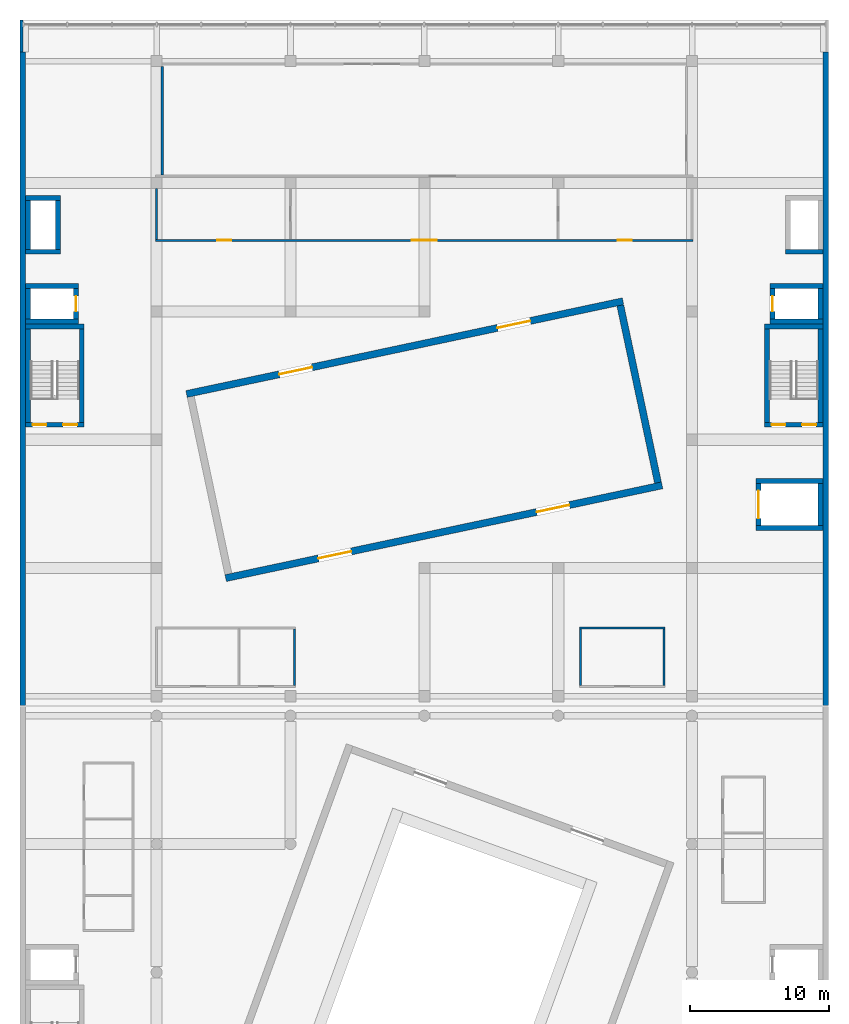
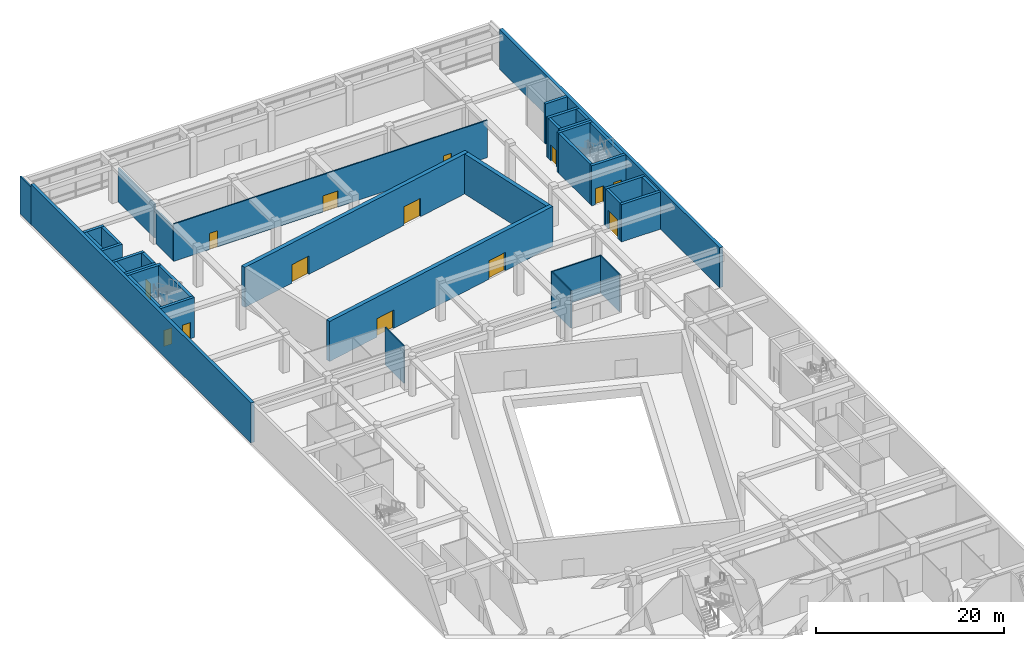
# One storey, part 13 of 31: 38 walls, 14 doors, 14 openings.
"""IFC4 building model written with IfcOpenShell, lengths in metres."""

from ifc_helpers import new_model, si_unit, direction, frame, frame_2d, origin, place, context, subcontext, project, spatial, rectangle, extrude, material, layer, layer_set, layer_usage, type_object, element, fill, save


model = new_model("IFC4")

# Units and contexts
model_context = context("Model", 3, precision=1e-05, world=origin(), true_north=direction((0.0, 1.0)))
body_context = subcontext(model_context, "Body", "Model", "MODEL_VIEW")
ifc_project = project(units=[si_unit("LENGTHUNIT", "METRE"), si_unit("AREAUNIT", "SQUARE_METRE"), si_unit("VOLUMEUNIT", "CUBIC_METRE"), si_unit("PLANEANGLEUNIT", "RADIAN"), si_unit("MASSUNIT", "GRAM", prefix="KILO")], contexts=[model_context])

# Site, building, storey
site_placement = place(None, origin())
site = spatial("IfcSite", under=ifc_project, at=site_placement, CompositionType="ELEMENT")
building_placement = place(site_placement, origin())
building = spatial("IfcBuilding", under=site, at=building_placement, Name="Nzadi Deep Aquarium and Research Tower", CompositionType="ELEMENT")
storey_placement = place(building_placement, frame((0.0, 0.0, 26.699951171875)))
storey = spatial("IfcBuildingStorey", under=building, at=storey_placement, Name="L04", CompositionType="ELEMENT", Elevation=26.699951171875)

# Wall
ifc_material_1 = material(Name="Graphite aluminium shingle", Category="aluminium")
ifc_layer_1 = layer(ifc_material_1, 0.050048828125, Category="cladding")
ifc_material_2 = material(Name="Concrete C35/45", Category="concrete")
ifc_layer_2 = layer(ifc_material_2, 0.10009765625, Category="cladding")
ifc_material_3 = material(Name="Mineral wool insulation")
ifc_layer_3 = layer(ifc_material_3, 0.050048828125, Category="insulation")
ifc_layer_set_1 = layer_set([ifc_layer_1, ifc_layer_2, ifc_layer_3], Name="Graphite aluminium shingle, Concrete C35/45, Mineral wool insulation")
ifc_layer_usage = layer_usage(ifc_layer_set_1, "AXIS2", "POSITIVE", -0.0999755859375)
wall_type_1 = type_object("IfcWallType", Name="End wall shingle over board-formed concrete 200", PredefinedType="ELEMENTEDWALL", material=ifc_layer_set_1)
wall_1_placement = place(storey_placement, frame((-0.099365234375, 143.300048828125, 0.0), z_axis=(0.0, 0.0, 1.0), x_axis=(0.0, -1.0, 0.0)))
element("IfcWall", 1, at=wall_1_placement, inside=storey, type_object=wall_type_1, material=ifc_layer_usage, Name="North cascade cheek wall L04", PredefinedType="ELEMENTEDWALL", context=body_context, shape_type="SweptSolid", body=[
    extrude(rectangle(XDim=2.300048828125, YDim=0.199951171875, at=frame_2d((1.14990234375, 0.0))), origin(), (0.0, 0.0, 1.0), 4.85009765625),
])

# Wall, openings, doors
ifc_material_4 = material(Name="Blockwork masonry", Category="masonry")
ifc_layer_4 = layer(ifc_material_4, 0.14990234375)
ifc_layer_set_2 = layer_set([ifc_layer_4], Name="Blockwork masonry")
wall_type_2 = type_object("IfcWallType", Name="Partition 150 EI 60", PredefinedType="PARTITIONING", material=ifc_layer_set_2)
wall_2_placement = place(storey_placement, frame((9.52490234375, 127.5, 0.0), z_axis=(0.0, 0.0, 1.0), x_axis=(1.0, 0.0, 0.0)))
wall_2 = element("IfcWall", 2, at=wall_2_placement, inside=storey, type_object=wall_type_2, Name="W-Z3-L04-P004", PredefinedType="PARTITIONING", context=body_context, shape_type="SweptSolid", body=[
    extrude(rectangle(XDim=38.550048828125, YDim=0.14990234375, at=frame_2d((19.27490234375, 0.0))), origin(), (0.0, 0.0, 1.0), 4.85009765625),
])
opening_1_placement = place(wall_2_placement, frame((18.375, 0.0, 0.0)))
opening_1 = element("IfcOpeningElement", 3, at=opening_1_placement, cuts=wall_2, Name="Opening D053008", PredefinedType="OPENING", context=body_context, shape_type="SweptSolid", body=[
    extrude(rectangle(XDim=1.800048828125, YDim=2.10009765625, at=frame_2d((0.89990234375, 1.050048828125))), frame((0.0, 0.0849609375, 0.0), z_axis=(0.0, -1.0, 0.0), x_axis=(1.0, 0.0, 0.0)), (0.0, 0.0, 1.0), 0.169921875),
])
opening_2_placement = place(wall_2_placement, frame((4.409912109375, 0.0, 0.0)))
opening_2 = element("IfcOpeningElement", 4, at=opening_2_placement, cuts=wall_2, Name="Opening D053009", PredefinedType="OPENING", context=body_context, shape_type="SweptSolid", body=[
    extrude(rectangle(XDim=1.0, YDim=2.10009765625, at=frame_2d((0.5, 1.050048828125))), frame((0.0, 0.0849609375, 0.0), z_axis=(0.0, -1.0, 0.0), x_axis=(1.0, 0.0, 0.0)), (0.0, 0.0, 1.0), 0.169921875),
])
opening_3_placement = place(wall_2_placement, frame((33.139892578125, 0.0, 0.0)))
opening_3 = element("IfcOpeningElement", 5, at=opening_3_placement, cuts=wall_2, Name="Opening D053010", PredefinedType="OPENING", context=body_context, shape_type="SweptSolid", body=[
    extrude(rectangle(XDim=1.0, YDim=2.10009765625, at=frame_2d((0.5, 1.050048828125))), frame((0.0, 0.0849609375, 0.0), z_axis=(0.0, -1.0, 0.0), x_axis=(1.0, 0.0, 0.0)), (0.0, 0.0, 1.0), 0.169921875),
])
ifc_material_5 = material(Name="Fire-rated steel door", Category="steel")
ifc_layer_5 = layer(ifc_material_5, 0.050048828125)
ifc_layer_set_3 = layer_set([ifc_layer_5], Name="Fire-rated steel door")
door_type_1 = type_object("IfcDoorType", Name="Door 1000x2100 EI 60 single", OperationType="SINGLE_SWING_LEFT", PredefinedType="DOOR", material=ifc_layer_set_3)
door_1_placement = place(opening_2_placement, origin())
door_1 = element("IfcDoor", 6, at=door_1_placement, inside=storey, type_object=door_type_1, Name="D053009", OperationType="SINGLE_SWING_LEFT", OverallHeight=2.10009765625, OverallWidth=1.0, PredefinedType="DOOR", context=body_context, shape_type="SweptSolid", body=[
    extrude(rectangle(XDim=1.0, YDim=2.10009765625, at=frame_2d((0.5, 1.050048828125))), frame((0.0, 0.02490234375, 0.0), z_axis=(0.0, -1.0, 0.0), x_axis=(1.0, 0.0, 0.0)), (0.0, 0.0, 1.0), 0.050048828125),
])
fill(opening_2, door_1)
door_2_placement = place(opening_3_placement, origin())
door_2 = element("IfcDoor", 7, at=door_2_placement, inside=storey, type_object=door_type_1, Name="D053010", OperationType="SINGLE_SWING_RIGHT", OverallHeight=2.10009765625, OverallWidth=1.0, PredefinedType="DOOR", context=body_context, shape_type="SweptSolid", body=[
    extrude(rectangle(XDim=1.0, YDim=2.10009765625, at=frame_2d((0.5, 1.050048828125))), frame((0.0, 0.02490234375, 0.0), z_axis=(0.0, -1.0, 0.0), x_axis=(1.0, 0.0, 0.0)), (0.0, 0.0, 1.0), 0.050048828125),
])
fill(opening_3, door_2)
ifc_material_6 = material(Name="Fire-rated steel door", Category="steel")
ifc_layer_6 = layer(ifc_material_6, 0.050048828125)
ifc_layer_set_4 = layer_set([ifc_layer_6], Name="Fire-rated steel door")
door_type_2 = type_object("IfcDoorType", Name="Door 1800x2100 EI 60 double", OperationType="DOUBLE_DOOR_SINGLE_SWING", PredefinedType="DOOR", material=ifc_layer_set_4)
door_3_placement = place(opening_1_placement, origin())
door_3 = element("IfcDoor", 8, at=door_3_placement, inside=storey, type_object=door_type_2, Name="D053008", OperationType="DOUBLE_DOOR_SINGLE_SWING", OverallHeight=2.10009765625, OverallWidth=1.800048828125, PredefinedType="DOOR", context=body_context, shape_type="SweptSolid", body=[
    extrude(rectangle(XDim=1.800048828125, YDim=2.10009765625, at=frame_2d((0.89990234375, 1.050048828125))), frame((0.0, 0.02490234375, 0.0), z_axis=(0.0, -1.0, 0.0), x_axis=(1.0, 0.0, 0.0)), (0.0, 0.0, 1.0), 0.050048828125),
])
fill(opening_1, door_3)

# Walls
for number, where, z_axis, x_axis, name in (
    (9, (19.5, 95.574951171875, 0.0), (0.0, 0.0, 1.0), (0.0, 1.0, 0.0), "W-Z3-L04-P011"),
    (10, (40.0, 95.574951171875, 0.0), (0.0, 0.0, 1.0), (0.0, 1.0, 0.0), "W-Z3-L04-P017"),
):
    element("IfcWall", number, at=place(storey_placement, frame(where, z_axis=z_axis, x_axis=x_axis)), inside=storey, type_object=wall_type_2, Name=name, PredefinedType="PARTITIONING", context=body_context, shape_type="SweptSolid", body=[
        extrude(rectangle(XDim=4.050048828125, YDim=0.14990234375, at=frame_2d((2.02490234375, 0.0))), origin(), (0.0, 0.0, 1.0), 4.85009765625),
    ])
wall_3_placement = place(storey_placement, frame((39.925048828125, 99.699951171875, 0.0), z_axis=(0.0, 0.0, 1.0), x_axis=(1.0, 0.0, 0.0)))
element("IfcWall", 11, at=wall_3_placement, inside=storey, type_object=wall_type_2, Name="W-Z3-L04-P018", PredefinedType="PARTITIONING", context=body_context, shape_type="SweptSolid", body=[
    extrude(rectangle(XDim=6.14990234375, YDim=0.14990234375, at=frame_2d((3.074951171875, 0.0))), origin(), (0.0, 0.0, 1.0), 4.85009765625),
])
wall_4_placement = place(storey_placement, frame((46.0, 95.574951171875, 0.0), z_axis=(0.0, 0.0, 1.0), x_axis=(0.0, 1.0, 0.0)))
element("IfcWall", 12, at=wall_4_placement, inside=storey, type_object=wall_type_2, Name="W-Z3-L04-P019", PredefinedType="PARTITIONING", context=body_context, shape_type="SweptSolid", body=[
    extrude(rectangle(XDim=4.050048828125, YDim=0.14990234375, at=frame_2d((2.02490234375, 0.0))), origin(), (0.0, 0.0, 1.0), 4.85009765625),
])
ifc_material_7 = material(Name="Blockwork masonry", Category="masonry")
ifc_layer_7 = layer(ifc_material_7, 0.14990234375)
ifc_layer_set_5 = layer_set([ifc_layer_7], Name="Blockwork masonry")
wall_type_3 = type_object("IfcWallType", Name="Partition 150 EI 60, 4.45 m high", PredefinedType="PARTITIONING", material=ifc_layer_set_5)
wall_5_placement = place(storey_placement, frame((9.60009765625, 127.574951171875, 0.0), z_axis=(0.0, 0.0, 1.0), x_axis=(0.0, 1.0, 0.0)))
element("IfcWall", 13, at=wall_5_placement, inside=storey, type_object=wall_type_3, Name="W-Z3-L04-P005", PredefinedType="PARTITIONING", context=body_context, shape_type="SweptSolid", body=[
    extrude(rectangle(XDim=3.625, YDim=0.14990234375, at=frame_2d((1.8125, 0.0))), origin(), (0.0, 0.0, 1.0), 4.449951171875),
])
wall_6_placement = place(storey_placement, frame((10.0, 132.175048828125, 0.0), z_axis=(0.0, 0.0, 1.0), x_axis=(0.0, 1.0, 0.0)))
element("IfcWall", 14, at=wall_6_placement, inside=storey, type_object=wall_type_3, Name="W-Z3-L04-P007", PredefinedType="PARTITIONING", context=body_context, shape_type="SweptSolid", body=[
    extrude(rectangle(XDim=7.77490234375, YDim=0.14990234375, at=frame_2d((3.887451171875, 0.0))), origin(), (0.0, 0.0, 1.0), 4.449951171875),
])

# Wall, openings, doors
ifc_material_8 = material(Name="Concrete C35/45", Category="concrete")
ifc_layer_8 = layer(ifc_material_8, 0.35009765625)
ifc_layer_set_6 = layer_set([ifc_layer_8], Name="Concrete C35/45")
wall_type_4 = type_object("IfcWallType", Name="RC core wall 350", PredefinedType="SHEAR", material=ifc_layer_set_6)
wall_7_placement = place(storey_placement, frame((0.199951171875, 114.27490234375, 0.0), z_axis=(0.0, 0.0, 1.0), x_axis=(1.0, 0.0, 0.0)))
wall_7 = element("IfcWall", 15, at=wall_7_placement, inside=storey, type_object=wall_type_4, Name="W-CORE-ST-Z3-W-L04-S", PredefinedType="SHEAR", context=body_context, shape_type="SweptSolid", body=[
    extrude(rectangle(XDim=4.199951171875, YDim=0.35009765625, at=frame_2d((2.10009765625, 0.0))), origin(), (0.0, 0.0, 1.0), 5.199951171875),
])
opening_4_placement = place(wall_7_placement, frame((0.5, 0.0, 0.0)))
opening_4 = element("IfcOpeningElement", 16, at=opening_4_placement, cuts=wall_7, Name="Opening DS-Z3-W-L04A", PredefinedType="OPENING", context=body_context, shape_type="SweptSolid", body=[
    extrude(rectangle(XDim=1.0, YDim=2.10009765625, at=frame_2d((0.5, 1.050048828125))), frame((0.0, 0.18505859375, 0.0), z_axis=(0.0, -1.0, 0.0), x_axis=(1.0, 0.0, 0.0)), (0.0, 0.0, 1.0), 0.3701171875),
])
opening_5_placement = place(wall_7_placement, frame((2.699951171875, 0.0, 0.0)))
opening_5 = element("IfcOpeningElement", 17, at=opening_5_placement, cuts=wall_7, Name="Opening DS-Z3-W-L04B", PredefinedType="OPENING", context=body_context, shape_type="SweptSolid", body=[
    extrude(rectangle(XDim=1.0, YDim=2.10009765625, at=frame_2d((0.5, 1.050048828125))), frame((0.0, 0.18505859375, 0.0), z_axis=(0.0, -1.0, 0.0), x_axis=(1.0, 0.0, 0.0)), (0.0, 0.0, 1.0), 0.3701171875),
])
ifc_material_9 = material(Name="Steel, powder coated", Category="steel")
door_type_3 = type_object("IfcDoorType", Name="STAIR DOOR 1000x2100 EI 60", OperationType="SINGLE_SWING_LEFT", PredefinedType="DOOR", material=ifc_material_9)
door_4_placement = place(opening_4_placement, origin())
door_4 = element("IfcDoor", 18, at=door_4_placement, inside=storey, type_object=door_type_3, Name="Stair door ST-Z3-W L04 A", OperationType="SINGLE_SWING_RIGHT", OverallHeight=2.10009765625, OverallWidth=1.0, PredefinedType="DOOR", context=body_context, shape_type="SweptSolid", body=[
    extrude(rectangle(XDim=1.0, YDim=2.10009765625, at=frame_2d((0.5, 1.050048828125))), frame((0.0, 0.02490234375, 0.0), z_axis=(0.0, -1.0, 0.0), x_axis=(1.0, 0.0, 0.0)), (0.0, 0.0, 1.0), 0.050048828125),
])
fill(opening_4, door_4)
door_5_placement = place(opening_5_placement, origin())
door_5 = element("IfcDoor", 19, at=door_5_placement, inside=storey, type_object=door_type_3, Name="Stair door ST-Z3-W L04 B", OperationType="SINGLE_SWING_LEFT", OverallHeight=2.10009765625, OverallWidth=1.0, PredefinedType="DOOR", context=body_context, shape_type="SweptSolid", body=[
    extrude(rectangle(XDim=1.0, YDim=2.10009765625, at=frame_2d((0.5, 1.050048828125))), frame((0.0, 0.02490234375, 0.0), z_axis=(0.0, -1.0, 0.0), x_axis=(1.0, 0.0, 0.0)), (0.0, 0.0, 1.0), 0.050048828125),
])
fill(opening_5, door_5)

# Walls
wall_8_placement = place(storey_placement, frame((0.199951171875, 121.324951171875, 0.0), z_axis=(0.0, 0.0, 1.0), x_axis=(1.0, 0.0, 0.0)))
element("IfcWall", 20, at=wall_8_placement, inside=storey, type_object=wall_type_4, Name="W-CORE-ST-Z3-W-L04-N", PredefinedType="SHEAR", context=body_context, shape_type="SweptSolid", body=[
    extrude(rectangle(XDim=4.199951171875, YDim=0.35009765625, at=frame_2d((2.10009765625, 0.0))), origin(), (0.0, 0.0, 1.0), 5.199951171875),
])
for number, where, z_axis, x_axis, name in (
    (21, (0.375, 114.449951171875, 0.0), (0.0, 0.0, 1.0), (0.0, 1.0, 0.0), "W-CORE-ST-Z3-W-L04-W"),
    (22, (4.22509765625, 114.449951171875, 0.0), (0.0, 0.0, 1.0), (0.0, 1.0, 0.0), "W-CORE-ST-Z3-W-L04-E"),
):
    element("IfcWall", number, at=place(storey_placement, frame(where, z_axis=z_axis, x_axis=x_axis)), inside=storey, type_object=wall_type_4, Name=name, PredefinedType="SHEAR", context=body_context, shape_type="SweptSolid", body=[
        extrude(rectangle(XDim=6.699951171875, YDim=0.35009765625, at=frame_2d((3.35009765625, 0.0))), origin(), (0.0, 0.0, 1.0), 5.199951171875),
    ])

# Wall, openings, doors
wall_9_placement = place(storey_placement, frame((53.199951171875, 114.27490234375, 0.0), z_axis=(0.0, 0.0, 1.0), x_axis=(1.0, 0.0, 0.0)))
wall_9 = element("IfcWall", 23, at=wall_9_placement, inside=storey, type_object=wall_type_4, Name="W-CORE-ST-Z3-E-L04-S", PredefinedType="SHEAR", context=body_context, shape_type="SweptSolid", body=[
    extrude(rectangle(XDim=4.199951171875, YDim=0.35009765625, at=frame_2d((2.10009765625, 0.0))), origin(), (0.0, 0.0, 1.0), 5.199951171875),
])
opening_6_placement = place(wall_9_placement, frame((0.5, 0.0, 0.0)))
opening_6 = element("IfcOpeningElement", 24, at=opening_6_placement, cuts=wall_9, Name="Opening DS-Z3-E-L04A", PredefinedType="OPENING", context=body_context, shape_type="SweptSolid", body=[
    extrude(rectangle(XDim=1.0, YDim=2.10009765625, at=frame_2d((0.5, 1.050048828125))), frame((0.0, 0.18505859375, 0.0), z_axis=(0.0, -1.0, 0.0), x_axis=(1.0, 0.0, 0.0)), (0.0, 0.0, 1.0), 0.3701171875),
])
opening_7_placement = place(wall_9_placement, frame((2.699951171875, 0.0, 0.0)))
opening_7 = element("IfcOpeningElement", 25, at=opening_7_placement, cuts=wall_9, Name="Opening DS-Z3-E-L04B", PredefinedType="OPENING", context=body_context, shape_type="SweptSolid", body=[
    extrude(rectangle(XDim=1.0, YDim=2.10009765625, at=frame_2d((0.5, 1.050048828125))), frame((0.0, 0.18505859375, 0.0), z_axis=(0.0, -1.0, 0.0), x_axis=(1.0, 0.0, 0.0)), (0.0, 0.0, 1.0), 0.3701171875),
])
door_6_placement = place(opening_6_placement, origin())
door_6 = element("IfcDoor", 26, at=door_6_placement, inside=storey, type_object=door_type_3, Name="Stair door ST-Z3-E L04 A", OperationType="SINGLE_SWING_RIGHT", OverallHeight=2.10009765625, OverallWidth=1.0, PredefinedType="DOOR", context=body_context, shape_type="SweptSolid", body=[
    extrude(rectangle(XDim=1.0, YDim=2.10009765625, at=frame_2d((0.5, 1.050048828125))), frame((0.0, 0.02490234375, 0.0), z_axis=(0.0, -1.0, 0.0), x_axis=(1.0, 0.0, 0.0)), (0.0, 0.0, 1.0), 0.050048828125),
])
fill(opening_6, door_6)
door_7_placement = place(opening_7_placement, origin())
door_7 = element("IfcDoor", 27, at=door_7_placement, inside=storey, type_object=door_type_3, Name="Stair door ST-Z3-E L04 B", OperationType="SINGLE_SWING_LEFT", OverallHeight=2.10009765625, OverallWidth=1.0, PredefinedType="DOOR", context=body_context, shape_type="SweptSolid", body=[
    extrude(rectangle(XDim=1.0, YDim=2.10009765625, at=frame_2d((0.5, 1.050048828125))), frame((0.0, 0.02490234375, 0.0), z_axis=(0.0, -1.0, 0.0), x_axis=(1.0, 0.0, 0.0)), (0.0, 0.0, 1.0), 0.050048828125),
])
fill(opening_7, door_7)

# Walls
wall_10_placement = place(storey_placement, frame((53.199951171875, 121.324951171875, 0.0), z_axis=(0.0, 0.0, 1.0), x_axis=(1.0, 0.0, 0.0)))
element("IfcWall", 28, at=wall_10_placement, inside=storey, type_object=wall_type_4, Name="W-CORE-ST-Z3-E-L04-N", PredefinedType="SHEAR", context=body_context, shape_type="SweptSolid", body=[
    extrude(rectangle(XDim=4.199951171875, YDim=0.35009765625, at=frame_2d((2.10009765625, 0.0))), origin(), (0.0, 0.0, 1.0), 5.199951171875),
])
for number, where, z_axis, x_axis, name in (
    (29, (53.375, 114.449951171875, 0.0), (0.0, 0.0, 1.0), (0.0, 1.0, 0.0), "W-CORE-ST-Z3-E-L04-W"),
    (30, (57.22509765625, 114.449951171875, 0.0), (0.0, 0.0, 1.0), (0.0, 1.0, 0.0), "W-CORE-ST-Z3-E-L04-E"),
):
    element("IfcWall", number, at=place(storey_placement, frame(where, z_axis=z_axis, x_axis=x_axis)), inside=storey, type_object=wall_type_4, Name=name, PredefinedType="SHEAR", context=body_context, shape_type="SweptSolid", body=[
        extrude(rectangle(XDim=6.699951171875, YDim=0.35009765625, at=frame_2d((3.35009765625, 0.0))), origin(), (0.0, 0.0, 1.0), 5.199951171875),
    ])
for number, where, z_axis, x_axis, name in (
    (31, (0.199951171875, 121.675048828125, 0.0), (0.0, 0.0, 1.0), (1.0, 0.0, 0.0), "W-CORE-PL5-L04-S"),
    (32, (0.199951171875, 124.22509765625, 0.0), (0.0, 0.0, 1.0), (1.0, 0.0, 0.0), "W-CORE-PL5-L04-N"),
):
    element("IfcWall", number, at=place(storey_placement, frame(where, z_axis=z_axis, x_axis=x_axis)), inside=storey, type_object=wall_type_4, Name=name, PredefinedType="SHEAR", context=body_context, shape_type="SweptSolid", body=[
        extrude(rectangle(XDim=3.800048828125, YDim=0.35009765625, at=frame_2d((1.89990234375, 0.0))), origin(), (0.0, 0.0, 1.0), 5.199951171875),
    ])
wall_11_placement = place(storey_placement, frame((0.375, 121.85009765625, 0.0), z_axis=(0.0, 0.0, 1.0), x_axis=(0.0, 1.0, 0.0)))
element("IfcWall", 33, at=wall_11_placement, inside=storey, type_object=wall_type_4, Name="W-CORE-PL5-L04-W", PredefinedType="SHEAR", context=body_context, shape_type="SweptSolid", body=[
    extrude(rectangle(XDim=2.199951171875, YDim=0.35009765625, at=frame_2d((1.10009765625, 0.0))), origin(), (0.0, 0.0, 1.0), 5.199951171875),
])

# Wall, opening, door
wall_12_placement = place(storey_placement, frame((3.824951171875, 121.85009765625, 0.0), z_axis=(0.0, 0.0, 1.0), x_axis=(0.0, 1.0, 0.0)))
wall_12 = element("IfcWall", 34, at=wall_12_placement, inside=storey, type_object=wall_type_4, Name="W-CORE-PL5-L04-E", PredefinedType="SHEAR", context=body_context, shape_type="SweptSolid", body=[
    extrude(rectangle(XDim=2.199951171875, YDim=0.35009765625, at=frame_2d((1.10009765625, 0.0))), origin(), (0.0, 0.0, 1.0), 5.199951171875),
])
opening_8_placement = place(wall_12_placement, frame((0.550048828125, 0.0, 0.0)))
opening_8 = element("IfcOpeningElement", 35, at=opening_8_placement, cuts=wall_12, Name="Opening LD-PL5-L04", PredefinedType="OPENING", context=body_context, shape_type="SweptSolid", body=[
    extrude(rectangle(XDim=1.10009765625, YDim=2.10009765625, at=frame_2d((0.550048828125, 1.050048828125))), frame((0.0, 0.18505859375, 0.0), z_axis=(0.0, -1.0, 0.0), x_axis=(1.0, 0.0, 0.0)), (0.0, 0.0, 1.0), 0.3701171875),
])
ifc_material_10 = material(Name="Stainless steel 1.4301", Category="steel")
door_type_4 = type_object("IfcDoorType", Name="LANDING DOOR 1100x2100", OperationType="DOUBLE_DOOR_SLIDING", PredefinedType="DOOR", material=ifc_material_10)
door_8_placement = place(opening_8_placement, origin())
door_8 = element("IfcDoor", 36, at=door_8_placement, inside=storey, type_object=door_type_4, Name="Landing door PL5 L04", OperationType="DOUBLE_DOOR_SLIDING", OverallHeight=2.10009765625, OverallWidth=1.10009765625, PredefinedType="DOOR", context=body_context, shape_type="SweptSolid", body=[
    extrude(rectangle(XDim=1.10009765625, YDim=2.10009765625, at=frame_2d((0.550048828125, 1.050048828125))), frame((0.0, 0.02490234375, 0.0), z_axis=(0.0, -1.0, 0.0), x_axis=(1.0, 0.0, 0.0)), (0.0, 0.0, 1.0), 0.050048828125),
])
fill(opening_8, door_8)

# Walls
for number, where, z_axis, x_axis, name in (
    (37, (53.60009765625, 121.675048828125, 0.0), (0.0, 0.0, 1.0), (1.0, 0.0, 0.0), "W-CORE-PL6-L04-S"),
    (38, (53.60009765625, 124.22509765625, 0.0), (0.0, 0.0, 1.0), (1.0, 0.0, 0.0), "W-CORE-PL6-L04-N"),
):
    element("IfcWall", number, at=place(storey_placement, frame(where, z_axis=z_axis, x_axis=x_axis)), inside=storey, type_object=wall_type_4, Name=name, PredefinedType="SHEAR", context=body_context, shape_type="SweptSolid", body=[
        extrude(rectangle(XDim=3.7998046875, YDim=0.35009765625, at=frame_2d((1.89990234375, 0.0))), origin(), (0.0, 0.0, 1.0), 5.199951171875),
    ])

# Wall, opening, door
wall_13_placement = place(storey_placement, frame((53.77490234375, 121.85009765625, 0.0), z_axis=(0.0, 0.0, 1.0), x_axis=(0.0, 1.0, 0.0)))
wall_13 = element("IfcWall", 39, at=wall_13_placement, inside=storey, type_object=wall_type_4, Name="W-CORE-PL6-L04-W", PredefinedType="SHEAR", context=body_context, shape_type="SweptSolid", body=[
    extrude(rectangle(XDim=2.199951171875, YDim=0.35009765625, at=frame_2d((1.10009765625, 0.0))), origin(), (0.0, 0.0, 1.0), 5.199951171875),
])
opening_9_placement = place(wall_13_placement, frame((0.550048828125, 0.0, 0.0)))
opening_9 = element("IfcOpeningElement", 40, at=opening_9_placement, cuts=wall_13, Name="Opening LD-PL6-L04", PredefinedType="OPENING", context=body_context, shape_type="SweptSolid", body=[
    extrude(rectangle(XDim=1.10009765625, YDim=2.10009765625, at=frame_2d((0.550048828125, 1.050048828125))), frame((0.0, 0.18505859375, 0.0), z_axis=(0.0, -1.0, 0.0), x_axis=(1.0, 0.0, 0.0)), (0.0, 0.0, 1.0), 0.3701171875),
])
door_9_placement = place(opening_9_placement, origin())
door_9 = element("IfcDoor", 41, at=door_9_placement, inside=storey, type_object=door_type_4, Name="Landing door PL6 L04", OperationType="DOUBLE_DOOR_SLIDING", OverallHeight=2.10009765625, OverallWidth=1.10009765625, PredefinedType="DOOR", context=body_context, shape_type="SweptSolid", body=[
    extrude(rectangle(XDim=1.10009765625, YDim=2.10009765625, at=frame_2d((0.550048828125, 1.050048828125))), frame((0.0, 0.02490234375, 0.0), z_axis=(0.0, -1.0, 0.0), x_axis=(1.0, 0.0, 0.0)), (0.0, 0.0, 1.0), 0.050048828125),
])
fill(opening_9, door_9)

# Walls
wall_14_placement = place(storey_placement, frame((57.22509765625, 121.85009765625, 0.0), z_axis=(0.0, 0.0, 1.0), x_axis=(0.0, 1.0, 0.0)))
element("IfcWall", 42, at=wall_14_placement, inside=storey, type_object=wall_type_4, Name="W-CORE-PL6-L04-E", PredefinedType="SHEAR", context=body_context, shape_type="SweptSolid", body=[
    extrude(rectangle(XDim=2.199951171875, YDim=0.35009765625, at=frame_2d((1.10009765625, 0.0))), origin(), (0.0, 0.0, 1.0), 5.199951171875),
])
for number, where, z_axis, x_axis, name in (
    (43, (0.199951171875, 126.675048828125, 0.0), (0.0, 0.0, 1.0), (1.0, 0.0, 0.0), "W-CORE-RS-Z3-W-L04-S"),
    (44, (0.199951171875, 130.52490234375, 0.0), (0.0, 0.0, 1.0), (1.0, 0.0, 0.0), "W-CORE-RS-Z3-W-L04-N"),
):
    element("IfcWall", number, at=place(storey_placement, frame(where, z_axis=z_axis, x_axis=x_axis)), inside=storey, type_object=wall_type_4, Name=name, PredefinedType="SHEAR", context=body_context, shape_type="SweptSolid", body=[
        extrude(rectangle(XDim=2.5, YDim=0.35009765625, at=frame_2d((1.25, 0.0))), origin(), (0.0, 0.0, 1.0), 5.199951171875),
    ])
for number, where, z_axis, x_axis, name in (
    (45, (0.375, 126.85009765625, 0.0), (0.0, 0.0, 1.0), (0.0, 1.0, 0.0), "W-CORE-RS-Z3-W-L04-W"),
    (46, (2.52490234375, 126.85009765625, 0.0), (0.0, 0.0, 1.0), (0.0, 1.0, 0.0), "W-CORE-RS-Z3-W-L04-E"),
):
    element("IfcWall", number, at=place(storey_placement, frame(where, z_axis=z_axis, x_axis=x_axis)), inside=storey, type_object=wall_type_4, Name=name, PredefinedType="SHEAR", context=body_context, shape_type="SweptSolid", body=[
        extrude(rectangle(XDim=3.5, YDim=0.35009765625, at=frame_2d((1.75, 0.0))), origin(), (0.0, 0.0, 1.0), 5.199951171875),
    ])
wall_15_placement = place(storey_placement, frame((54.699951171875, 126.675048828125, 0.0), z_axis=(0.0, 0.0, 1.0), x_axis=(1.0, 0.0, 0.0)))
element("IfcWall", 47, at=wall_15_placement, inside=storey, type_object=wall_type_4, Name="W-CORE-RS-Z3-E-L04-S", PredefinedType="SHEAR", context=body_context, shape_type="SweptSolid", body=[
    extrude(rectangle(XDim=2.699951171875, YDim=0.35009765625, at=frame_2d((1.35009765625, 0.0))), origin(), (0.0, 0.0, 1.0), 5.199951171875),
])
ifc_material_11 = material(Name="Concrete C35/45", Category="concrete")
ifc_layer_9 = layer(ifc_material_11, 0.35009765625)
ifc_layer_set_7 = layer_set([ifc_layer_9], Name="Concrete C35/45")
wall_type_5 = type_object("IfcWallType", Name="RC core wall 350, 4.85 m high", PredefinedType="SHEAR", material=ifc_layer_set_7)
for number, where, z_axis, x_axis, name in (
    (48, (52.60009765625, 106.875, 0.0), (0.0, 0.0, 1.0), (1.0, 0.0, 0.0), "W-CORE-GL2-L04-S"),
    (49, (52.60009765625, 110.22509765625, 0.0), (0.0, 0.0, 1.0), (1.0, 0.0, 0.0), "W-CORE-GL2-L04-N"),
):
    element("IfcWall", number, at=place(storey_placement, frame(where, z_axis=z_axis, x_axis=x_axis)), inside=storey, type_object=wall_type_5, Name=name, PredefinedType="SHEAR", context=body_context, shape_type="SweptSolid", body=[
        extrude(rectangle(XDim=4.7998046875, YDim=0.35009765625, at=frame_2d((2.39990234375, 0.0))), origin(), (0.0, 0.0, 1.0), 4.85009765625),
    ])

# Wall, opening, door
wall_16_placement = place(storey_placement, frame((52.77490234375, 107.050048828125, 0.0), z_axis=(0.0, 0.0, 1.0), x_axis=(0.0, 1.0, 0.0)))
wall_16 = element("IfcWall", 50, at=wall_16_placement, inside=storey, type_object=wall_type_5, Name="W-CORE-GL2-L04-W", PredefinedType="SHEAR", context=body_context, shape_type="SweptSolid", body=[
    extrude(rectangle(XDim=3.0, YDim=0.35009765625, at=frame_2d((1.5, 0.0))), origin(), (0.0, 0.0, 1.0), 4.85009765625),
])
opening_10_placement = place(wall_16_placement, frame((0.5, 0.0, 0.0)))
opening_10 = element("IfcOpeningElement", 51, at=opening_10_placement, cuts=wall_16, Name="Opening LD-GL2-L04", PredefinedType="OPENING", context=body_context, shape_type="SweptSolid", body=[
    extrude(rectangle(XDim=2.0, YDim=2.39990234375, at=frame_2d((1.0, 1.199951171875))), frame((0.0, 0.18505859375, 0.0), z_axis=(0.0, -1.0, 0.0), x_axis=(1.0, 0.0, 0.0)), (0.0, 0.0, 1.0), 0.3701171875),
])
ifc_material_12 = material(Name="Stainless steel 1.4301", Category="steel")
door_type_5 = type_object("IfcDoorType", Name="LANDING DOOR 2000x2400", OperationType="DOUBLE_DOOR_SLIDING", PredefinedType="DOOR", material=ifc_material_12)
door_10_placement = place(opening_10_placement, origin())
door_10 = element("IfcDoor", 52, at=door_10_placement, inside=storey, type_object=door_type_5, Name="Landing door GL2 L04", OperationType="DOUBLE_DOOR_SLIDING", OverallHeight=2.39990234375, OverallWidth=2.0, PredefinedType="DOOR", context=body_context, shape_type="SweptSolid", body=[
    extrude(rectangle(XDim=2.0, YDim=2.39990234375, at=frame_2d((1.0, 1.199951171875))), frame((0.0, 0.02490234375, 0.0), z_axis=(0.0, -1.0, 0.0), x_axis=(1.0, 0.0, 0.0)), (0.0, 0.0, 1.0), 0.050048828125),
])
fill(opening_10, door_10)

# Wall
wall_17_placement = place(storey_placement, frame((57.22509765625, 107.050048828125, 0.0), z_axis=(0.0, 0.0, 1.0), x_axis=(0.0, 1.0, 0.0)))
element("IfcWall", 53, at=wall_17_placement, inside=storey, type_object=wall_type_5, Name="W-CORE-GL2-L04-E", PredefinedType="SHEAR", context=body_context, shape_type="SweptSolid", body=[
    extrude(rectangle(XDim=3.0, YDim=0.35009765625, at=frame_2d((1.5, 0.0))), origin(), (0.0, 0.0, 1.0), 4.85009765625),
])

# Wall, openings, doors
ifc_material_13 = material(Name="Concrete C35/45", Category="concrete")
ifc_layer_10 = layer(ifc_material_13, 0.5)
ifc_layer_set_8 = layer_set([ifc_layer_10], Name="Concrete C35/45")
wall_type_6 = type_object("IfcWallType", Name="RC envelope wall 500", PredefinedType="SHEAR", material=ifc_layer_set_8)
wall_18_placement = place(storey_placement, frame((14.552978515625, 103.27099609375, 0.0), z_axis=(0.0, 0.0, 1.0), x_axis=(0.978148301511, 0.207908393895, 0.0)))
wall_18 = element("IfcWall", 54, at=wall_18_placement, inside=storey, type_object=wall_type_6, Name="W-BL-L04-S", PredefinedType="SHEAR", context=body_context, shape_type="SweptSolid", body=[
    extrude(rectangle(XDim=32.0, YDim=0.5, at=frame_2d((16.0, 0.0))), origin(), (0.0, 0.0, 1.0), 5.199951171875),
])
opening_11_placement = place(wall_18_placement, frame((6.800048828125, 0.0, 0.0)))
opening_11 = element("IfcOpeningElement", 55, at=opening_11_placement, cuts=wall_18, Name="Opening D053013", PredefinedType="OPENING", context=body_context, shape_type="SweptSolid", body=[
    extrude(rectangle(XDim=2.39990234375, YDim=2.39990234375, at=frame_2d((1.199951171875, 1.199951171875))), frame((0.0, 0.260009765625, 0.0), z_axis=(0.0, -1.0, 0.0), x_axis=(1.0, 0.0, 0.0)), (0.0, 0.0, 1.0), 0.52001953125),
])
opening_12_placement = place(wall_18_placement, frame((22.800048828125, 0.0, 0.0)))
opening_12 = element("IfcOpeningElement", 56, at=opening_12_placement, cuts=wall_18, Name="Opening D053015", PredefinedType="OPENING", context=body_context, shape_type="SweptSolid", body=[
    extrude(rectangle(XDim=2.39990234375, YDim=2.39990234375, at=frame_2d((1.199951171875, 1.199951171875))), frame((0.0, 0.260009765625, 0.0), z_axis=(0.0, -1.0, 0.0), x_axis=(1.0, 0.0, 0.0)), (0.0, 0.0, 1.0), 0.52001953125),
])
ifc_material_14 = material(Name="Fire-rated steel door", Category="steel")
ifc_layer_11 = layer(ifc_material_14, 0.050048828125)
ifc_layer_set_9 = layer_set([ifc_layer_11], Name="Fire-rated steel door")
door_type_6 = type_object("IfcDoorType", Name="Door 2400x2400 EI 120 double", OperationType="DOUBLE_DOOR_SINGLE_SWING", PredefinedType="DOOR", material=ifc_layer_set_9)
door_11_placement = place(opening_11_placement, origin())
door_11 = element("IfcDoor", 57, at=door_11_placement, inside=storey, type_object=door_type_6, Name="D053013", OperationType="DOUBLE_DOOR_SINGLE_SWING", OverallHeight=2.39990234375, OverallWidth=2.39990234375, PredefinedType="DOOR", context=body_context, shape_type="SweptSolid", body=[
    extrude(rectangle(XDim=2.39990234375, YDim=2.39990234375, at=frame_2d((1.199951171875, 1.199951171875))), frame((0.0, 0.02490234375, 0.0), z_axis=(0.0, -1.0, 0.0), x_axis=(1.0, 0.0, 0.0)), (0.0, 0.0, 1.0), 0.050048828125),
])
fill(opening_11, door_11)
door_12_placement = place(opening_12_placement, origin())
door_12 = element("IfcDoor", 58, at=door_12_placement, inside=storey, type_object=door_type_6, Name="D053015", OperationType="DOUBLE_DOOR_SINGLE_SWING", OverallHeight=2.39990234375, OverallWidth=2.39990234375, PredefinedType="DOOR", context=body_context, shape_type="SweptSolid", body=[
    extrude(rectangle(XDim=2.39990234375, YDim=2.39990234375, at=frame_2d((1.199951171875, 1.199951171875))), frame((0.0, 0.02490234375, 0.0), z_axis=(0.0, -1.0, 0.0), x_axis=(1.0, 0.0, 0.0)), (0.0, 0.0, 1.0), 0.050048828125),
])
fill(opening_12, door_12)

wall_19_placement = place(storey_placement, frame((11.746337890625, 116.475830078125, 0.0), z_axis=(0.0, 0.0, 1.0), x_axis=(0.978146420121, 0.207917245089, 0.0)))
wall_19 = element("IfcWall", 59, at=wall_19_placement, inside=storey, type_object=wall_type_6, Name="W-BL-L04-N", PredefinedType="SHEAR", context=body_context, shape_type="SweptSolid", body=[
    extrude(rectangle(XDim=31.999755859375, YDim=0.5, at=frame_2d((16.0, 0.0))), origin(), (0.0, 0.0, 1.0), 5.199951171875),
])
opening_13_placement = place(wall_19_placement, frame((6.800048828125, 0.0, 0.0)))
opening_13 = element("IfcOpeningElement", 60, at=opening_13_placement, cuts=wall_19, Name="Opening D053014", PredefinedType="OPENING", context=body_context, shape_type="SweptSolid", body=[
    extrude(rectangle(XDim=2.39990234375, YDim=2.39990234375, at=frame_2d((1.199951171875, 1.199951171875))), frame((0.0, 0.260009765625, 0.0), z_axis=(0.0, -1.0, 0.0), x_axis=(1.0, 0.0, 0.0)), (0.0, 0.0, 1.0), 0.52001953125),
])
opening_14_placement = place(wall_19_placement, frame((22.800048828125, 0.0, 0.0)))
opening_14 = element("IfcOpeningElement", 61, at=opening_14_placement, cuts=wall_19, Name="Opening D053016", PredefinedType="OPENING", context=body_context, shape_type="SweptSolid", body=[
    extrude(rectangle(XDim=2.39990234375, YDim=2.39990234375, at=frame_2d((1.199951171875, 1.199951171875))), frame((0.0, 0.260009765625, 0.0), z_axis=(0.0, -1.0, 0.0), x_axis=(1.0, 0.0, 0.0)), (0.0, 0.0, 1.0), 0.52001953125),
])
door_13_placement = place(opening_13_placement, origin())
door_13 = element("IfcDoor", 62, at=door_13_placement, inside=storey, type_object=door_type_6, Name="D053014", OperationType="DOUBLE_DOOR_SINGLE_SWING", OverallHeight=2.39990234375, OverallWidth=2.39990234375, PredefinedType="DOOR", context=body_context, shape_type="SweptSolid", body=[
    extrude(rectangle(XDim=2.39990234375, YDim=2.39990234375, at=frame_2d((1.199951171875, 1.199951171875))), frame((0.0, 0.02490234375, 0.0), z_axis=(0.0, -1.0, 0.0), x_axis=(1.0, 0.0, 0.0)), (0.0, 0.0, 1.0), 0.050048828125),
])
fill(opening_13, door_13)
door_14_placement = place(opening_14_placement, origin())
door_14 = element("IfcDoor", 63, at=door_14_placement, inside=storey, type_object=door_type_6, Name="D053016", OperationType="DOUBLE_DOOR_SINGLE_SWING", OverallHeight=2.39990234375, OverallWidth=2.39990234375, PredefinedType="DOOR", context=body_context, shape_type="SweptSolid", body=[
    extrude(rectangle(XDim=2.39990234375, YDim=2.39990234375, at=frame_2d((1.199951171875, 1.199951171875))), frame((0.0, 0.02490234375, 0.0), z_axis=(0.0, -1.0, 0.0), x_axis=(1.0, 0.0, 0.0)), (0.0, 0.0, 1.0), 0.050048828125),
])
fill(opening_14, door_14)

# Walls
wall_20_placement = place(storey_placement, frame((45.557373046875, 110.11669921875, 0.0), z_axis=(0.0, 0.0, 1.0), x_axis=(-0.207915357117, 0.978146821431, 0.0)))
element("IfcWall", 64, at=wall_20_placement, inside=storey, type_object=wall_type_6, Name="W-BL-L04-E", PredefinedType="SHEAR", context=body_context, shape_type="SweptSolid", body=[
    extrude(rectangle(XDim=13.0, YDim=0.5, at=frame_2d((6.5, 0.0))), origin(), (0.0, 0.0, 1.0), 5.199951171875),
])
ifc_material_15 = material(Name="Concrete C35/45", Category="concrete")
ifc_layer_12 = layer(ifc_material_15, 0.39990234375)
ifc_layer_set_10 = layer_set([ifc_layer_12], Name="Concrete C35/45")
wall_type_7 = type_object("IfcWallType", Name="RC party wall 400", PredefinedType="SHEAR", material=ifc_layer_set_10)
for number, where, z_axis, x_axis, name in (
    (65, (0.00048828125, 94.1201171875, 0.0), (0.0, 0.0, 1.0), (0.0, 1.0, 0.0), "W-PTY-Z3-L04-W"),
    (66, (57.599609375, 94.1201171875, 0.0), (0.0, 0.0, 1.0), (0.0, 1.0, 0.0), "W-PTY-Z3-L04-E"),
):
    element("IfcWall", number, at=place(storey_placement, frame(where, z_axis=z_axis, x_axis=x_axis)), inside=storey, type_object=wall_type_7, Name=name, PredefinedType="SHEAR", context=body_context, shape_type="SweptSolid", body=[
        extrude(rectangle(XDim=46.8798828125, YDim=0.39990234375, at=frame_2d((23.43994140625, 0.0))), origin(), (0.0, 0.0, 1.0), 5.199951171875),
    ])

save(model, "model.ifc")
